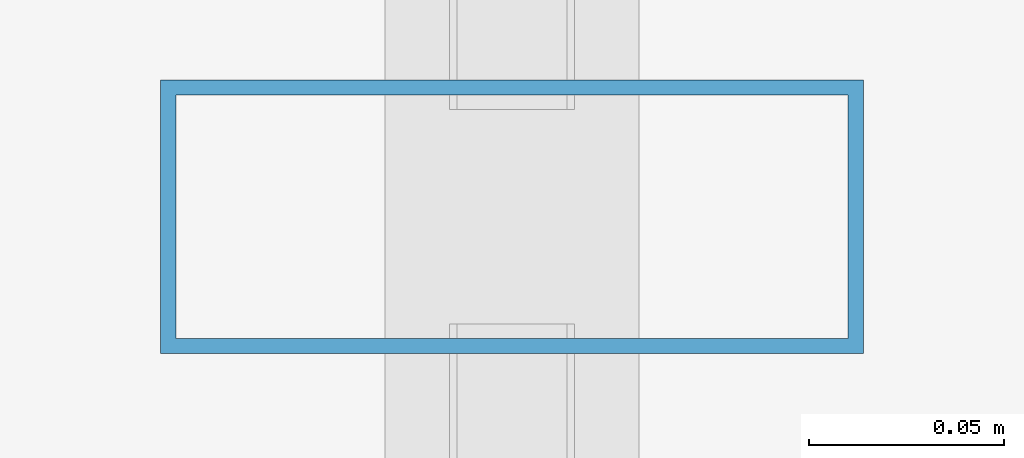
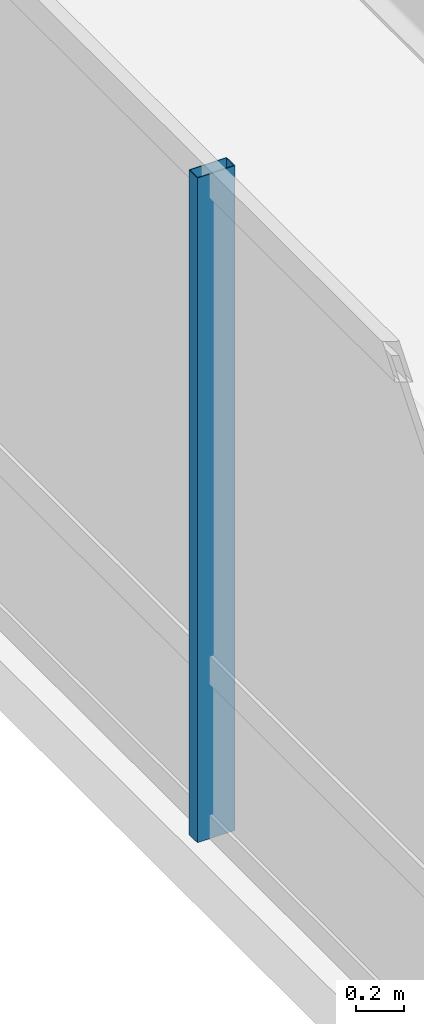
# One storey, part 13 of 29: 1 member, 1 element without a shape of its own.
"""IFC4 building model written with IfcOpenShell, lengths in metres."""

from ifc_helpers import new_model, si_unit, direction, frame, origin, origin_2d, place, context, subcontext, project, spatial, hollow_rectangle, extrude, material, layer, layer_set, material_profile, profile_set, type_object, element, aggregate, save


model = new_model("IFC4")

# Units and contexts
model_context = context("Model", 3, precision=1e-05, world=origin(), true_north=direction((0.0, 1.0)))
body_context = subcontext(model_context, "Body", "Model", "MODEL_VIEW")
ifc_project = project(units=[si_unit("LENGTHUNIT", "METRE"), si_unit("AREAUNIT", "SQUARE_METRE"), si_unit("VOLUMEUNIT", "CUBIC_METRE"), si_unit("PLANEANGLEUNIT", "RADIAN"), si_unit("MASSUNIT", "GRAM", prefix="KILO")], contexts=[model_context])

# Site, building, storey
site_placement = place(None, origin())
site = spatial("IfcSite", under=ifc_project, at=site_placement, CompositionType="ELEMENT")
building_placement = place(site_placement, origin())
building = spatial("IfcBuilding", under=site, at=building_placement, Name="Hatsunagi Terrace Concourse", CompositionType="ELEMENT")
storey_placement = place(building_placement, frame((0.0, 0.0, 104.85009765625)))
storey = spatial("IfcBuildingStorey", under=building, at=storey_placement, Name="L27", CompositionType="ELEMENT", Elevation=104.85009765625)

# Curtain wall, member
ifc_material_1 = material(Name="Anodised Aluminium Alloy 6063-T5", Category="aluminium")
ifc_layer = layer(ifc_material_1, 0.199951171875)
ifc_layer_set = layer_set([ifc_layer], Name="OfficeZone1_CW03")
curtain_wall_type = type_object("IfcCurtainWallType", Name="OfficeZone1_CW03", PredefinedType="NOTDEFINED", material=ifc_layer_set)
curtain_wall_placement = place(storey_placement, origin())
curtain_wall = element("IfcCurtainWall", 1, at=curtain_wall_placement, inside=storey, type_object=curtain_wall_type, Name="Unitised Curtain Wall CW-03 CW-L27-09", PredefinedType="NOTDEFINED")
ifc_material_2 = material(Name="Anodised Aluminium Alloy 6063-T5", Category="aluminium")
ifc_material_profile = material_profile(ifc_material_2, hollow_rectangle(XDim=0.070068359375, YDim=0.179931640625, WallThickness=0.00390625, at=origin_2d()), Name="ALU-MUL-180x70x4")
ifc_profile_set = profile_set([ifc_material_profile], Name="Anodised Aluminium Alloy 6063-T5")
member_type = type_object("IfcMemberType", Name="CurtainWallMullion_180x70", PredefinedType="MULLION", material=ifc_profile_set)
member_placement = place(storey_placement, frame((9.739990234375, 36.89990234375, 0.0), z_axis=(0.0, 0.0, 1.0), x_axis=(0.0, 1.0, 0.0)))
member = element("IfcMember", 2, at=member_placement, type_object=member_type, Name="Curtain Wall Mullion MUL-02", PredefinedType="MULLION", context=body_context, shape_type="SweptSolid", body=[
    extrude(hollow_rectangle(XDim=0.070068359375, YDim=0.179931640625, WallThickness=0.00390625, at=origin_2d()), origin(), (0.0, 0.0, 1.0), 3.349853515625),
])
aggregate(curtain_wall, [member])

save(model, "model.ifc")
